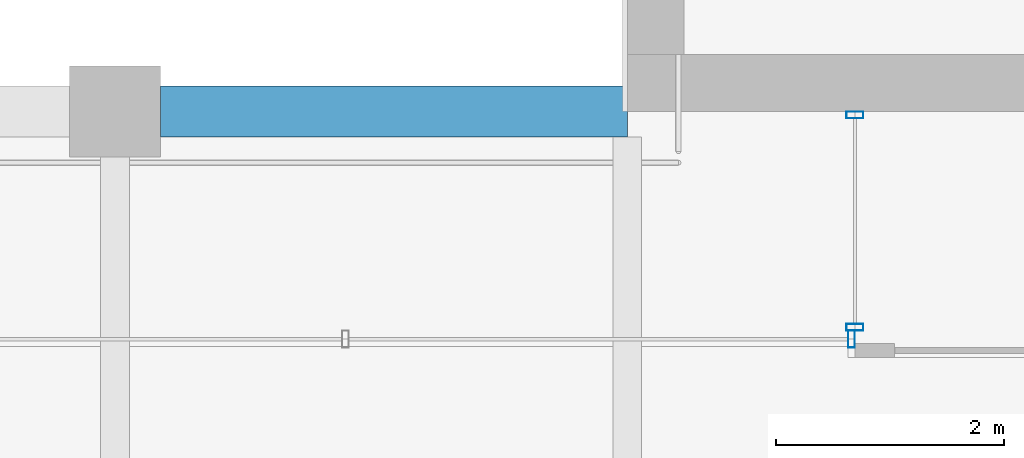
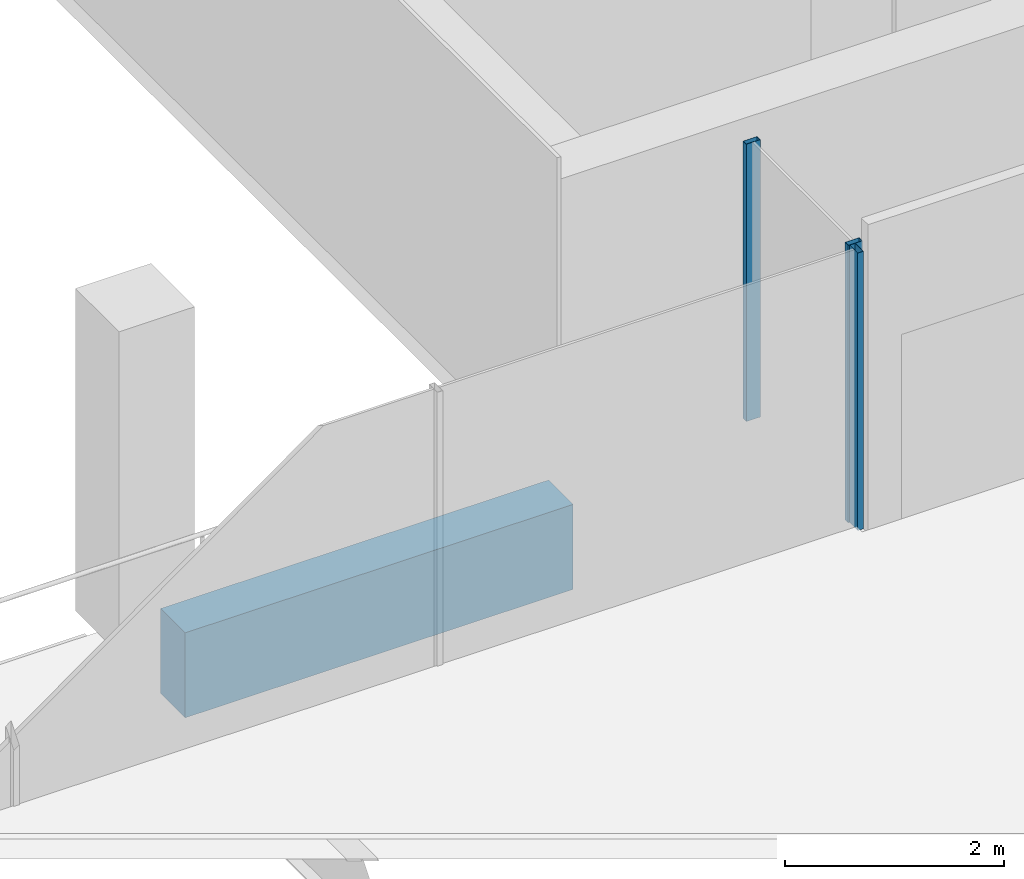
# One storey, part 6 of 40: 3 members, 1 beam, 2 elements without a shape of their own.
"""IFC4 building model written with IfcOpenShell, lengths in metres."""

from ifc_helpers import new_model, si_unit, direction, frame, origin, origin_2d, place, context, subcontext, project, spatial, rectangle, hollow_rectangle, extrude, material, material_profile, profile_set, type_object, element, aggregate, save


model = new_model("IFC4")

# Units and contexts
model_context = context("Model", 3, precision=1e-05, world=origin(), true_north=direction((0.0, 1.0)))
body_context = subcontext(model_context, "Body", "Model", "MODEL_VIEW")
ifc_project = project(units=[si_unit("LENGTHUNIT", "METRE"), si_unit("AREAUNIT", "SQUARE_METRE"), si_unit("VOLUMEUNIT", "CUBIC_METRE"), si_unit("PLANEANGLEUNIT", "RADIAN"), si_unit("MASSUNIT", "GRAM", prefix="KILO")], contexts=[model_context])

# Site, building, storey
site_placement = place(None, origin())
site = spatial("IfcSite", under=ifc_project, at=site_placement, CompositionType="ELEMENT")
building_placement = place(site_placement, origin())
building = spatial("IfcBuilding", under=site, at=building_placement, Name="Altepetl Exchange Towers", CompositionType="ELEMENT")
storey_placement = place(building_placement, frame((0.0, 0.0, 202.800048828125)))
storey = spatial("IfcBuildingStorey", under=building, at=storey_placement, Name="L51", CompositionType="ELEMENT", Elevation=202.800048828125)

# Curtain wall, members
ifc_material_1 = material(Name="Aluminium 6063-T6 glazing", Category="aluminium")
curtain_wall_type = type_object("IfcCurtainWallType", Name="Loggia glazing system", PredefinedType="NOTDEFINED", material=ifc_material_1)
curtain_wall_1_placement = place(storey_placement, origin())
curtain_wall_1 = element("IfcCurtainWall", 1, at=curtain_wall_1_placement, inside=storey, type_object=curtain_wall_type, Name="CW1 run", PredefinedType="NOTDEFINED")
ifc_material_2 = material(Name="Aluminium 6063-T6", Category="aluminium")
ifc_material_profile_1 = material_profile(ifc_material_2, hollow_rectangle(XDim=0.06005859375, YDim=0.14990234375, WallThickness=0.0029296875, at=origin_2d()), Name="Mullion 60x150 aluminium")
ifc_profile_set_1 = profile_set([ifc_material_profile_1], Name="Aluminium 6063-T6")
member_type = type_object("IfcMemberType", Name="Mullion 60x150 aluminium", PredefinedType="MULLION", material=ifc_profile_set_1)
member_1_placement = place(storey_placement, frame((42.5, 40.469970703125, 0.0), z_axis=(0.0, 0.0, 1.0), x_axis=(0.0, -1.0, 0.0)))
member_1 = element("IfcMember", 2, at=member_1_placement, type_object=member_type, Name="MU1 mullion", PredefinedType="MULLION", context=body_context, shape_type="SweptSolid", body=[
    extrude(hollow_rectangle(XDim=0.06005859375, YDim=0.14990234375, WallThickness=0.0029296875, at=origin_2d()), origin(), (0.0, 0.0, 1.0), 3.099853515625),
])
member_2_placement = place(storey_placement, frame((42.5, 38.60498046875, 0.0), z_axis=(0.0, 0.0, 1.0), x_axis=(0.0, -1.0, 0.0)))
member_2 = element("IfcMember", 3, at=member_2_placement, type_object=member_type, Name="MU1 mullion", PredefinedType="MULLION", context=body_context, shape_type="SweptSolid", body=[
    extrude(hollow_rectangle(XDim=0.06005859375, YDim=0.14990234375, WallThickness=0.0029296875, at=origin_2d()), origin(), (0.0, 0.0, 1.0), 3.099853515625),
])
aggregate(curtain_wall_1, [member_1, member_2])

# Curtain wall, member
curtain_wall_2_placement = place(storey_placement, origin())
curtain_wall_2 = element("IfcCurtainWall", 4, at=curtain_wall_2_placement, inside=storey, type_object=curtain_wall_type, Name="CW1 run", PredefinedType="NOTDEFINED")
member_3_placement = place(storey_placement, frame((42.469970703125, 38.5, 0.0), z_axis=(0.0, 0.0, 1.0), x_axis=(-1.0, 0.0, 0.0)))
member_3 = element("IfcMember", 5, at=member_3_placement, type_object=member_type, Name="MU1 mullion", PredefinedType="MULLION", context=body_context, shape_type="SweptSolid", body=[
    extrude(hollow_rectangle(XDim=0.06005859375, YDim=0.14990234375, WallThickness=0.0029296875, at=origin_2d()), origin(), (0.0, 0.0, 1.0), 3.099853515625),
])
aggregate(curtain_wall_2, [member_3])

# Beam
ifc_material_3 = material(Name="Concrete C50/60 precast with tezontle facing", Category="concrete")
ifc_material_profile_2 = material_profile(ifc_material_3, rectangle(XDim=0.449951171875, YDim=0.949951171875, at=origin_2d()), Name="450 x 950")
ifc_profile_set_2 = profile_set([ifc_material_profile_2], Name="Concrete C50/60 precast with tezontle facing")
beam_type = type_object("IfcBeamType", Name="Spandrel beam 450x950 tezontle", PredefinedType="SPANDREL", material=ifc_profile_set_2)
beam_placement = place(storey_placement, frame((40.5, 40.5, -0.625), z_axis=(-1.0, 0.0, 0.0), x_axis=(0.0, -1.0, 0.0)))
element("IfcBeam", 6, at=beam_placement, inside=storey, type_object=beam_type, Name="sp:A:L51:033", PredefinedType="SPANDREL", context=body_context, shape_type="SweptSolid", body=[
    extrude(rectangle(XDim=0.449951171875, YDim=0.949951171875, at=origin_2d()), origin(), (0.0, 0.0, 1.0), 4.10009765625),
])

save(model, "model.ifc")
